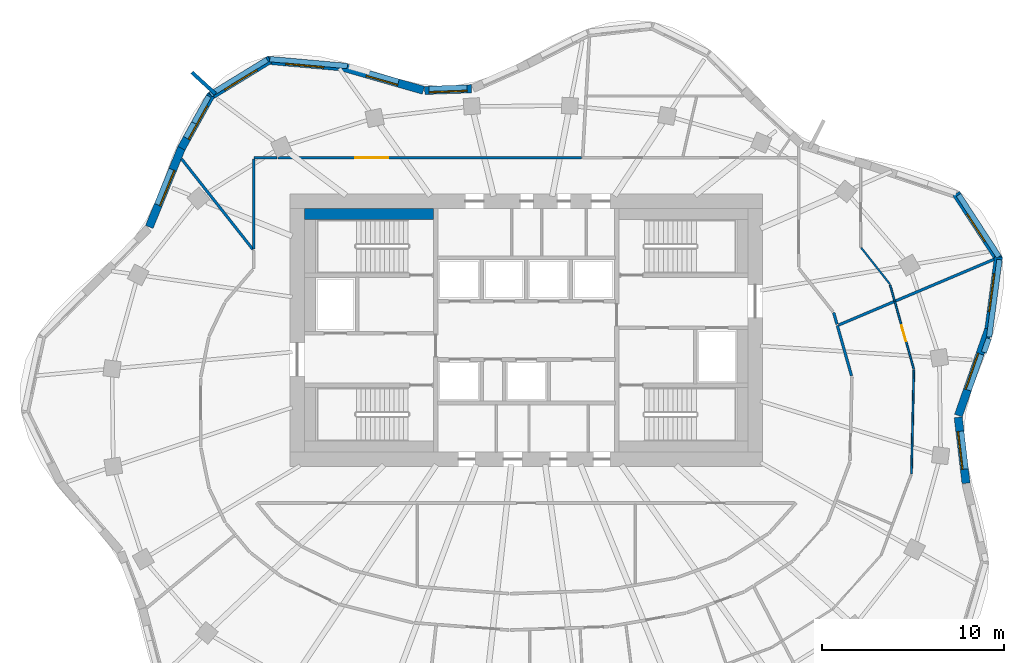
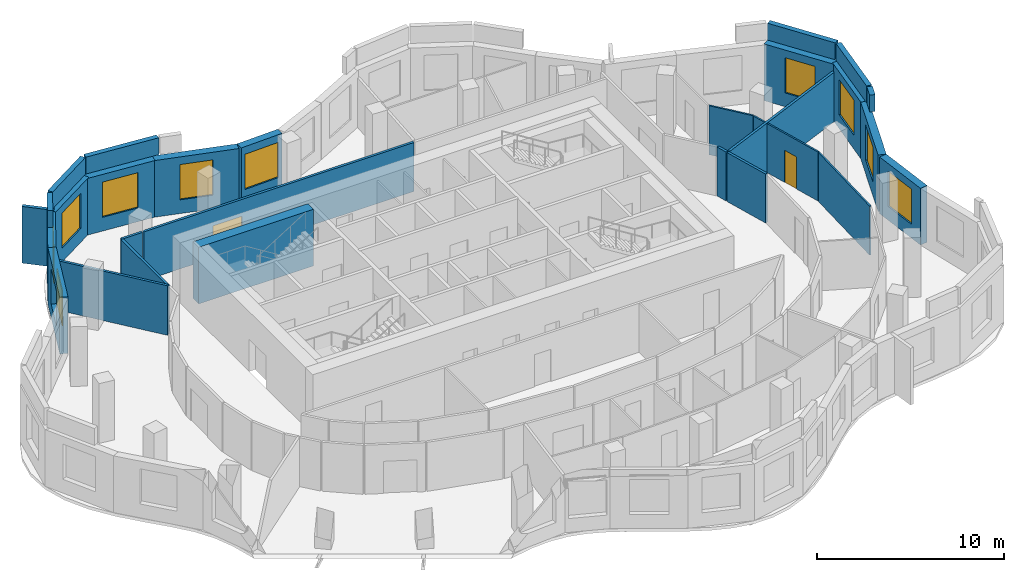
# One storey, part 7 of 10: 29 walls, 10 windows, 2 doors, 12 openings.
"""IFC4 building model written with IfcOpenShell, lengths in metres."""

from ifc_helpers import new_model, si_unit, direction, frame, frame_2d, origin, place, context, subcontext, project, spatial, rectangle, extrude, material, layer, layer_set, type_object, element, fill, save


model = new_model("IFC4")

# Units and contexts
model_context = context("Model", 3, precision=1e-05, world=origin(), true_north=direction((0.0, 1.0)))
body_context = subcontext(model_context, "Body", "Model", "MODEL_VIEW")
ifc_project = project(units=[si_unit("LENGTHUNIT", "METRE"), si_unit("AREAUNIT", "SQUARE_METRE"), si_unit("VOLUMEUNIT", "CUBIC_METRE"), si_unit("PLANEANGLEUNIT", "RADIAN"), si_unit("MASSUNIT", "GRAM", prefix="KILO")], contexts=[model_context])

# Site, building, storey
site_placement = place(None, origin())
site = spatial("IfcSite", under=ifc_project, at=site_placement, CompositionType="ELEMENT")
building_placement = place(site_placement, origin())
building = spatial("IfcBuilding", under=site, at=building_placement, Name="Rubra Terraces Tower", CompositionType="ELEMENT")
storey_placement = place(building_placement, frame((0.0, 0.0, 292.199951171875)))
storey = spatial("IfcBuildingStorey", under=building, at=storey_placement, Name="L72", CompositionType="ELEMENT", Elevation=292.199951171875)

# Wall, opening, window
ifc_material_1 = material(Name="Brick masonry red-brown", Category="masonry")
ifc_layer_1 = layer(ifc_material_1, 0.449951171875)
ifc_layer_set_1 = layer_set([ifc_layer_1], Name="Brick masonry red-brown")
wall_type_1 = type_object("IfcWallType", Name="Brick facade wall 450", PredefinedType="SOLIDWALL", material=ifc_layer_set_1)
wall_1_placement = place(storey_placement, frame((23.782470703125, -0.189208984375, 0.0), z_axis=(0.0, 0.0, 1.0), x_axis=(0.330794307703, 0.943702880144, 0.0)))
wall_1 = element("IfcWall", 1, at=wall_1_placement, inside=storey, type_object=wall_type_1, Name="Facade wall L72 bay 1", PredefinedType="SOLIDWALL", context=body_context, shape_type="SweptSolid", body=[
    extrude(rectangle(XDim=5.095458984375, YDim=0.449951171875, at=frame_2d((2.5478515625, 0.0))), origin(), (0.0, 0.0, 1.0), 3.699951171875),
])
opening_1_placement = place(wall_1_placement, frame((1.497802734375, 0.0, 0.89990234375)))
opening_1 = element("IfcOpeningElement", 2, at=opening_1_placement, cuts=wall_1, Name="Opening W1B", PredefinedType="OPENING", context=body_context, shape_type="SweptSolid", body=[
    extrude(rectangle(XDim=2.10009765625, YDim=2.300048828125, at=frame_2d((1.050048828125, 1.14990234375))), frame((0.0, 0.23486328125, 0.0), z_axis=(0.0, -1.0, 0.0), x_axis=(1.0, 0.0, 0.0)), (0.0, 0.0, 1.0), 0.469970703125),
])
ifc_material_2 = material(Name="Clear glass in aluminium frame", Category="aluminium")
window_type_1 = type_object("IfcWindowType", Name="Fixed deep-set window tall storey 2100 x 2300", PartitioningType="SINGLE_PANEL", PredefinedType="WINDOW", material=ifc_material_2)
window_1_placement = place(opening_1_placement, origin())
window_1 = element("IfcWindow", 3, at=window_1_placement, inside=storey, type_object=window_type_1, Name="Window L72 bay 1", OverallHeight=2.300048828125, OverallWidth=2.10009765625, PartitioningType="SINGLE_PANEL", PredefinedType="WINDOW", context=body_context, shape_type="SweptSolid", body=[
    extrude(rectangle(XDim=2.10009765625, YDim=2.300048828125, at=frame_2d((1.050048828125, 1.14990234375))), frame((0.0, 0.135009765625, 0.0), z_axis=(0.0, -1.0, 0.0), x_axis=(1.0, 0.0, 0.0)), (0.0, 0.0, 1.0), 0.06005859375),
])
fill(opening_1, window_1)

wall_2_placement = place(storey_placement, frame((25.457275390625, 4.57470703125, 0.0), z_axis=(0.0, 0.0, 1.0), x_axis=(0.132475046402, 0.991186340746, 0.0)))
wall_2 = element("IfcWall", 4, at=wall_2_placement, inside=storey, type_object=wall_type_1, Name="Facade wall L72 bay 2", PredefinedType="SOLIDWALL", context=body_context, shape_type="SweptSolid", body=[
    extrude(rectangle(XDim=4.006591796875, YDim=0.449951171875, at=frame_2d((2.00341796875, 0.0))), origin(), (0.0, 0.0, 1.0), 3.699951171875),
])
opening_2_placement = place(wall_2_placement, frame((0.953125, 0.0, 0.89990234375)))
opening_2 = element("IfcOpeningElement", 5, at=opening_2_placement, cuts=wall_2, Name="Opening W1B", PredefinedType="OPENING", context=body_context, shape_type="SweptSolid", body=[
    extrude(rectangle(XDim=2.10009765625, YDim=2.300048828125, at=frame_2d((1.050048828125, 1.14990234375))), frame((0.0, 0.23486328125, 0.0), z_axis=(0.0, -1.0, 0.0), x_axis=(1.0, 0.0, 0.0)), (0.0, 0.0, 1.0), 0.469970703125),
])
window_2_placement = place(opening_2_placement, origin())
window_2 = element("IfcWindow", 6, at=window_2_placement, inside=storey, type_object=window_type_1, Name="Window L72 bay 2", OverallHeight=2.300048828125, OverallWidth=2.10009765625, PartitioningType="SINGLE_PANEL", PredefinedType="WINDOW", context=body_context, shape_type="SweptSolid", body=[
    extrude(rectangle(XDim=2.10009765625, YDim=2.300048828125, at=frame_2d((1.050048828125, 1.14990234375))), frame((0.0, 0.135009765625, 0.0), z_axis=(0.0, -1.0, 0.0), x_axis=(1.0, 0.0, 0.0)), (0.0, 0.0, 1.0), 0.06005859375),
])
fill(opening_2, window_2)

wall_3_placement = place(storey_placement, frame((26.0224609375, 8.393310546875, 0.0), z_axis=(0.0, 0.0, 1.0), x_axis=(-0.545637310328, 0.838021435035, 0.0)))
wall_3 = element("IfcWall", 7, at=wall_3_placement, inside=storey, type_object=wall_type_1, Name="Facade wall L72 bay 3", PredefinedType="SOLIDWALL", context=body_context, shape_type="SweptSolid", body=[
    extrude(rectangle(XDim=4.336181640625, YDim=0.449951171875, at=frame_2d((2.16796875, 0.0))), origin(), (0.0, 0.0, 1.0), 3.699951171875),
])
opening_3_placement = place(wall_3_placement, frame((1.268310546875, 0.0, 0.89990234375)))
opening_3 = element("IfcOpeningElement", 8, at=opening_3_placement, cuts=wall_3, Name="Opening W6B", PredefinedType="OPENING", context=body_context, shape_type="SweptSolid", body=[
    extrude(rectangle(XDim=1.800048828125, YDim=2.300048828125, at=frame_2d((0.89990234375, 1.14990234375))), frame((0.0, 0.23486328125, 0.0), z_axis=(0.0, -1.0, 0.0), x_axis=(1.0, 0.0, 0.0)), (0.0, 0.0, 1.0), 0.469970703125),
])
window_type_2 = type_object("IfcWindowType", Name="Fixed deep-set window at wind fin tall storey 1800 x 2300", PartitioningType="SINGLE_PANEL", PredefinedType="WINDOW", material=ifc_material_2)
window_3_placement = place(opening_3_placement, origin())
window_3 = element("IfcWindow", 9, at=window_3_placement, inside=storey, type_object=window_type_2, Name="Window L72 bay 3", OverallHeight=2.300048828125, OverallWidth=1.800048828125, PartitioningType="SINGLE_PANEL", PredefinedType="WINDOW", context=body_context, shape_type="SweptSolid", body=[
    extrude(rectangle(XDim=1.800048828125, YDim=2.300048828125, at=frame_2d((0.89990234375, 1.14990234375))), frame((0.0, 0.135009765625, 0.0), z_axis=(0.0, -1.0, 0.0), x_axis=(1.0, 0.0, 0.0)), (0.0, 0.0, 1.0), 0.06005859375),
])
fill(opening_3, window_3)

wall_4_placement = place(storey_placement, frame((-3.022216796875, 17.797607421875, 0.0), z_axis=(0.0, 0.0, 1.0), x_axis=(-0.999339560591, -0.036337895349, 0.0)))
wall_4 = element("IfcWall", 10, at=wall_4_placement, inside=storey, type_object=wall_type_1, Name="Facade wall L72 bay 12", PredefinedType="SOLIDWALL", context=body_context, shape_type="SweptSolid", body=[
    extrude(rectangle(XDim=2.5732421875, YDim=0.449951171875, at=frame_2d((1.28662109375, 0.0))), origin(), (0.0, 0.0, 1.0), 3.699951171875),
])
opening_4_placement = place(wall_4_placement, frame((0.236572265625, 0.0, 0.89990234375)))
opening_4 = element("IfcOpeningElement", 11, at=opening_4_placement, cuts=wall_4, Name="Opening W1B", PredefinedType="OPENING", context=body_context, shape_type="SweptSolid", body=[
    extrude(rectangle(XDim=2.10009765625, YDim=2.300048828125, at=frame_2d((1.050048828125, 1.14990234375))), frame((0.0, 0.23486328125, 0.0), z_axis=(0.0, -1.0, 0.0), x_axis=(1.0, 0.0, 0.0)), (0.0, 0.0, 1.0), 0.469970703125),
])
window_4_placement = place(opening_4_placement, origin())
window_4 = element("IfcWindow", 12, at=window_4_placement, inside=storey, type_object=window_type_1, Name="Window L72 bay 12", OverallHeight=2.300048828125, OverallWidth=2.10009765625, PartitioningType="SINGLE_PANEL", PredefinedType="WINDOW", context=body_context, shape_type="SweptSolid", body=[
    extrude(rectangle(XDim=2.10009765625, YDim=2.300048828125, at=frame_2d((1.050048828125, 1.14990234375))), frame((0.0, 0.135009765625, 0.0), z_axis=(0.0, -1.0, 0.0), x_axis=(1.0, 0.0, 0.0)), (0.0, 0.0, 1.0), 0.06005859375),
])
fill(opening_4, window_4)

wall_5_placement = place(storey_placement, frame((-5.6640625, 17.712646484375, 0.0), z_axis=(0.0, 0.0, 1.0), x_axis=(-0.961108031684, 0.276172684083, 0.0)))
wall_5 = element("IfcWall", 13, at=wall_5_placement, inside=storey, type_object=wall_type_1, Name="Facade wall L72 bay 13", PredefinedType="SOLIDWALL", context=body_context, shape_type="SweptSolid", body=[
    extrude(rectangle(XDim=4.686279296875, YDim=0.449951171875, at=frame_2d((2.34326171875, 0.0))), origin(), (0.0, 0.0, 1.0), 3.699951171875),
])
opening_5_placement = place(wall_5_placement, frame((1.443115234375, 0.0, 0.89990234375)))
opening_5 = element("IfcOpeningElement", 14, at=opening_5_placement, cuts=wall_5, Name="Opening W6B", PredefinedType="OPENING", context=body_context, shape_type="SweptSolid", body=[
    extrude(rectangle(XDim=1.800048828125, YDim=2.300048828125, at=frame_2d((0.89990234375, 1.14990234375))), frame((0.0, 0.23486328125, 0.0), z_axis=(0.0, -1.0, 0.0), x_axis=(1.0, 0.0, 0.0)), (0.0, 0.0, 1.0), 0.469970703125),
])
window_5_placement = place(opening_5_placement, origin())
window_5 = element("IfcWindow", 15, at=window_5_placement, inside=storey, type_object=window_type_2, Name="Window L72 bay 13", OverallHeight=2.300048828125, OverallWidth=1.800048828125, PartitioningType="SINGLE_PANEL", PredefinedType="WINDOW", context=body_context, shape_type="SweptSolid", body=[
    extrude(rectangle(XDim=1.800048828125, YDim=2.300048828125, at=frame_2d((0.89990234375, 1.14990234375))), frame((0.0, 0.135009765625, 0.0), z_axis=(0.0, -1.0, 0.0), x_axis=(1.0, 0.0, 0.0)), (0.0, 0.0, 1.0), 0.06005859375),
])
fill(opening_5, window_5)

wall_6_placement = place(storey_placement, frame((-10.125732421875, 18.9990234375, 0.0), z_axis=(0.0, 0.0, 1.0), x_axis=(-0.996031087117, 0.089006030672, 0.0)))
wall_6 = element("IfcWall", 16, at=wall_6_placement, inside=storey, type_object=wall_type_1, Name="Facade wall L72 bay 14", PredefinedType="SOLIDWALL", context=body_context, shape_type="SweptSolid", body=[
    extrude(rectangle(XDim=4.14453125, YDim=0.449951171875, at=frame_2d((2.072265625, 0.0))), origin(), (0.0, 0.0, 1.0), 3.699951171875),
])
opening_6_placement = place(wall_6_placement, frame((1.022216796875, 0.0, 0.89990234375)))
opening_6 = element("IfcOpeningElement", 17, at=opening_6_placement, cuts=wall_6, Name="Opening W1B", PredefinedType="OPENING", context=body_context, shape_type="SweptSolid", body=[
    extrude(rectangle(XDim=2.10009765625, YDim=2.300048828125, at=frame_2d((1.050048828125, 1.14990234375))), frame((0.0, 0.23486328125, 0.0), z_axis=(0.0, -1.0, 0.0), x_axis=(1.0, 0.0, 0.0)), (0.0, 0.0, 1.0), 0.469970703125),
])
window_6_placement = place(opening_6_placement, origin())
window_6 = element("IfcWindow", 18, at=window_6_placement, inside=storey, type_object=window_type_1, Name="Window L72 bay 14", OverallHeight=2.300048828125, OverallWidth=2.10009765625, PartitioningType="SINGLE_PANEL", PredefinedType="WINDOW", context=body_context, shape_type="SweptSolid", body=[
    extrude(rectangle(XDim=2.10009765625, YDim=2.300048828125, at=frame_2d((1.050048828125, 1.14990234375))), frame((0.0, 0.135009765625, 0.0), z_axis=(0.0, -1.0, 0.0), x_axis=(1.0, 0.0, 0.0)), (0.0, 0.0, 1.0), 0.06005859375),
])
fill(opening_6, window_6)

wall_7_placement = place(storey_placement, frame((-14.116455078125, 19.400146484375, 0.0), z_axis=(0.0, 0.0, 1.0), x_axis=(-0.852622865325, -0.522526793117, 0.0)))
wall_7 = element("IfcWall", 19, at=wall_7_placement, inside=storey, type_object=wall_type_1, Name="Facade wall L72 bay 15", PredefinedType="SOLIDWALL", context=body_context, shape_type="SweptSolid", body=[
    extrude(rectangle(XDim=3.896240234375, YDim=0.449951171875, at=frame_2d((1.9482421875, 0.0))), origin(), (0.0, 0.0, 1.0), 3.699951171875),
])
opening_7_placement = place(wall_7_placement, frame((0.898193359375, 0.0, 0.89990234375)))
opening_7 = element("IfcOpeningElement", 20, at=opening_7_placement, cuts=wall_7, Name="Opening W1B", PredefinedType="OPENING", context=body_context, shape_type="SweptSolid", body=[
    extrude(rectangle(XDim=2.10009765625, YDim=2.300048828125, at=frame_2d((1.050048828125, 1.14990234375))), frame((0.0, 0.23486328125, 0.0), z_axis=(0.0, -1.0, 0.0), x_axis=(1.0, 0.0, 0.0)), (0.0, 0.0, 1.0), 0.469970703125),
])
window_7_placement = place(opening_7_placement, origin())
window_7 = element("IfcWindow", 21, at=window_7_placement, inside=storey, type_object=window_type_1, Name="Window L72 bay 15", OverallHeight=2.300048828125, OverallWidth=2.10009765625, PartitioningType="SINGLE_PANEL", PredefinedType="WINDOW", context=body_context, shape_type="SweptSolid", body=[
    extrude(rectangle(XDim=2.10009765625, YDim=2.300048828125, at=frame_2d((1.050048828125, 1.14990234375))), frame((0.0, 0.135009765625, 0.0), z_axis=(0.0, -1.0, 0.0), x_axis=(1.0, 0.0, 0.0)), (0.0, 0.0, 1.0), 0.06005859375),
])
fill(opening_7, window_7)

wall_8_placement = place(storey_placement, frame((-17.359375, 17.44677734375, 0.0), z_axis=(0.0, 0.0, 1.0), x_axis=(-0.485618126214, -0.874171056197, 0.0)))
wall_8 = element("IfcWall", 22, at=wall_8_placement, inside=storey, type_object=wall_type_1, Name="Facade wall L72 bay 16", PredefinedType="SOLIDWALL", context=body_context, shape_type="SweptSolid", body=[
    extrude(rectangle(XDim=3.3427734375, YDim=0.449951171875, at=frame_2d((1.67138671875, 0.0))), origin(), (0.0, 0.0, 1.0), 3.699951171875),
])
opening_8_placement = place(wall_8_placement, frame((0.621337890625, 0.0, 0.89990234375)))
opening_8 = element("IfcOpeningElement", 23, at=opening_8_placement, cuts=wall_8, Name="Opening W1B", PredefinedType="OPENING", context=body_context, shape_type="SweptSolid", body=[
    extrude(rectangle(XDim=2.10009765625, YDim=2.300048828125, at=frame_2d((1.050048828125, 1.14990234375))), frame((0.0, 0.23486328125, 0.0), z_axis=(0.0, -1.0, 0.0), x_axis=(1.0, 0.0, 0.0)), (0.0, 0.0, 1.0), 0.469970703125),
])
window_8_placement = place(opening_8_placement, origin())
window_8 = element("IfcWindow", 24, at=window_8_placement, inside=storey, type_object=window_type_1, Name="Window L72 bay 16", OverallHeight=2.300048828125, OverallWidth=2.10009765625, PartitioningType="SINGLE_PANEL", PredefinedType="WINDOW", context=body_context, shape_type="SweptSolid", body=[
    extrude(rectangle(XDim=2.10009765625, YDim=2.300048828125, at=frame_2d((1.050048828125, 1.14990234375))), frame((0.0, 0.135009765625, 0.0), z_axis=(0.0, -1.0, 0.0), x_axis=(1.0, 0.0, 0.0)), (0.0, 0.0, 1.0), 0.06005859375),
])
fill(opening_8, window_8)

wall_9_placement = place(storey_placement, frame((-18.97119140625, 14.548828125, 0.0), z_axis=(0.0, 0.0, 1.0), x_axis=(-0.378434936431, -0.925627894398, 0.0)))
wall_9 = element("IfcWall", 25, at=wall_9_placement, inside=storey, type_object=wall_type_1, Name="Facade wall L72 bay 17", PredefinedType="SOLIDWALL", context=body_context, shape_type="SweptSolid", body=[
    extrude(rectangle(XDim=4.70751953125, YDim=0.449951171875, at=frame_2d((2.353759765625, 0.0))), origin(), (0.0, 0.0, 1.0), 3.699951171875),
])
opening_9_placement = place(wall_9_placement, frame((1.3037109375, 0.0, 0.89990234375)))
opening_9 = element("IfcOpeningElement", 26, at=opening_9_placement, cuts=wall_9, Name="Opening W1B", PredefinedType="OPENING", context=body_context, shape_type="SweptSolid", body=[
    extrude(rectangle(XDim=2.10009765625, YDim=2.300048828125, at=frame_2d((1.050048828125, 1.14990234375))), frame((0.0, 0.23486328125, 0.0), z_axis=(0.0, -1.0, 0.0), x_axis=(1.0, 0.0, 0.0)), (0.0, 0.0, 1.0), 0.469970703125),
])
window_9_placement = place(opening_9_placement, origin())
window_9 = element("IfcWindow", 27, at=window_9_placement, inside=storey, type_object=window_type_1, Name="Window L72 bay 17", OverallHeight=2.300048828125, OverallWidth=2.10009765625, PartitioningType="SINGLE_PANEL", PredefinedType="WINDOW", context=body_context, shape_type="SweptSolid", body=[
    extrude(rectangle(XDim=2.10009765625, YDim=2.300048828125, at=frame_2d((1.050048828125, 1.14990234375))), frame((0.0, 0.135009765625, 0.0), z_axis=(0.0, -1.0, 0.0), x_axis=(1.0, 0.0, 0.0)), (0.0, 0.0, 1.0), 0.06005859375),
])
fill(opening_9, window_9)

wall_10_placement = place(storey_placement, frame((24.200927734375, -3.915283203125, 0.0), z_axis=(0.0, 0.0, 1.0), x_axis=(-0.117623597589, 0.993058250703, 0.0)))
wall_10 = element("IfcWall", 28, at=wall_10_placement, inside=storey, type_object=wall_type_1, Name="Facade wall L72 bay 40", PredefinedType="SOLIDWALL", context=body_context, shape_type="SweptSolid", body=[
    extrude(rectangle(XDim=3.6572265625, YDim=0.449951171875, at=frame_2d((1.82861328125, 0.0))), origin(), (0.0, 0.0, 1.0), 3.699951171875),
])
opening_10_placement = place(wall_10_placement, frame((0.77880859375, 0.0, 0.89990234375)))
opening_10 = element("IfcOpeningElement", 29, at=opening_10_placement, cuts=wall_10, Name="Opening W1B", PredefinedType="OPENING", context=body_context, shape_type="SweptSolid", body=[
    extrude(rectangle(XDim=2.10009765625, YDim=2.300048828125, at=frame_2d((1.050048828125, 1.14990234375))), frame((0.0, 0.23486328125, 0.0), z_axis=(0.0, -1.0, 0.0), x_axis=(1.0, 0.0, 0.0)), (0.0, 0.0, 1.0), 0.469970703125),
])
window_10_placement = place(opening_10_placement, origin())
window_10 = element("IfcWindow", 30, at=window_10_placement, inside=storey, type_object=window_type_1, Name="Window L72 bay 40", OverallHeight=2.300048828125, OverallWidth=2.10009765625, PartitioningType="SINGLE_PANEL", PredefinedType="WINDOW", context=body_context, shape_type="SweptSolid", body=[
    extrude(rectangle(XDim=2.10009765625, YDim=2.300048828125, at=frame_2d((1.050048828125, 1.14990234375))), frame((0.0, 0.135009765625, 0.0), z_axis=(0.0, -1.0, 0.0), x_axis=(1.0, 0.0, 0.0)), (0.0, 0.0, 1.0), 0.06005859375),
])
fill(opening_10, window_10)

# Walls
ifc_layer_2 = layer(ifc_material_1, 0.300048828125)
ifc_layer_set_2 = layer_set([ifc_layer_2], Name="Brick masonry red-brown")
wall_type_2 = type_object("IfcWallType", Name="Brick parapet 300", PredefinedType="PARAPET", material=ifc_layer_set_2)
wall_11_placement = place(storey_placement, frame((25.185302734375, 3.284912109375, 3.900146484375), z_axis=(0.0, 0.0, 1.0), x_axis=(0.330927638021, 0.943656133554, 0.0)))
element("IfcWall", 31, at=wall_11_placement, inside=storey, type_object=wall_type_2, Name="Parapet L72 bay 1", PredefinedType="PARAPET", context=body_context, shape_type="SweptSolid", body=[
    extrude(rectangle(XDim=0.81005859375, YDim=0.300048828125, at=frame_2d((0.405029296875, 0.0))), origin(), (0.0, 0.0, 1.0), 1.099853515625),
])
wall_12_placement = place(storey_placement, frame((25.474365234375, 4.13720703125, 3.900146484375), z_axis=(0.0, 0.0, 1.0), x_axis=(0.132506125812, 0.991182186393, 0.0)))
element("IfcWall", 32, at=wall_12_placement, inside=storey, type_object=wall_type_2, Name="Parapet L72 bay 2", PredefinedType="PARAPET", context=body_context, shape_type="SweptSolid", body=[
    extrude(rectangle(XDim=4.296630859375, YDim=0.300048828125, at=frame_2d((2.1484375, 0.0))), origin(), (0.0, 0.0, 1.0), 1.099853515625),
])
wall_13_placement = place(storey_placement, frame((26.00830078125, 8.552490234375, 3.900146484375), z_axis=(0.0, 0.0, 1.0), x_axis=(-0.545634876254, 0.83802301986, 0.0)))
element("IfcWall", 33, at=wall_13_placement, inside=storey, type_object=wall_type_2, Name="Parapet L72 bay 3", PredefinedType="PARAPET", context=body_context, shape_type="SweptSolid", body=[
    extrude(rectangle(XDim=4.060546875, YDim=0.300048828125, at=frame_2d((2.0302734375, 0.0))), origin(), (0.0, 0.0, 1.0), 1.099853515625),
])
wall_14_placement = place(storey_placement, frame((-9.851806640625, 19.0498046875, 3.900146484375), z_axis=(0.0, 0.0, 1.0), x_axis=(-0.996029858658, 0.089019776805, 0.0)))
element("IfcWall", 34, at=wall_14_placement, inside=storey, type_object=wall_type_2, Name="Parapet L72 bay 14", PredefinedType="PARAPET", context=body_context, shape_type="SweptSolid", body=[
    extrude(rectangle(XDim=4.283935546875, YDim=0.300048828125, at=frame_2d((2.14208984375, 0.0))), origin(), (0.0, 0.0, 1.0), 1.099853515625),
])
wall_15_placement = place(storey_placement, frame((-14.265869140625, 19.396484375, 3.900146484375), z_axis=(0.0, 0.0, 1.0), x_axis=(-0.852626191256, -0.522521366055, 0.0)))
element("IfcWall", 35, at=wall_15_placement, inside=storey, type_object=wall_type_2, Name="Parapet L72 bay 15", PredefinedType="PARAPET", context=body_context, shape_type="SweptSolid", body=[
    extrude(rectangle(XDim=3.657958984375, YDim=0.300048828125, at=frame_2d((1.8291015625, 0.0))), origin(), (0.0, 0.0, 1.0), 1.099853515625),
])
wall_16_placement = place(storey_placement, frame((-17.477783203125, 17.387939453125, 3.900146484375), z_axis=(0.0, 0.0, 1.0), x_axis=(-0.485655243725, -0.874150435705, 0.0)))
element("IfcWall", 36, at=wall_16_placement, inside=storey, type_object=wall_type_2, Name="Parapet L72 bay 16", PredefinedType="PARAPET", context=body_context, shape_type="SweptSolid", body=[
    extrude(rectangle(XDim=1.68359375, YDim=0.300048828125, at=frame_2d((0.841796875, 0.0))), origin(), (0.0, 0.0, 1.0), 1.099853515625),
])
ifc_layer_3 = layer(ifc_material_1, 0.199951171875)
ifc_layer_set_3 = layer_set([ifc_layer_3], Name="Brick masonry red-brown")
wall_type_3 = type_object("IfcWallType", Name="Brick wind fin 200", PredefinedType="SOLIDWALL", material=ifc_layer_set_3)
wall_17_placement = place(storey_placement, frame((-17.118896484375, 17.52294921875, 0.0), z_axis=(0.0, 0.0, 1.0), x_axis=(-0.737866019047, 0.674947211221, 0.0)))
element("IfcWall", 37, at=wall_17_placement, inside=storey, type_object=wall_type_3, Name="Wind fin L72 8", PredefinedType="SOLIDWALL", context=body_context, shape_type="SweptSolid", body=[
    extrude(rectangle(XDim=1.75, YDim=0.199951171875, at=frame_2d((0.875, 0.0))), origin(), (0.0, 0.0, 1.0), 3.699951171875),
])
ifc_material_3 = material(Name="Plasterboard on steel stud, mineral wool infill", Category="steel")
ifc_layer_4 = layer(ifc_material_3, 0.14990234375)
ifc_layer_set_4 = layer_set([ifc_layer_4], Name="Plasterboard on steel stud, mineral wool infill")
wall_type_4 = type_object("IfcWallType", Name="CORRIDOR PARTITION 150", PredefinedType="PARTITIONING", material=ifc_layer_set_4)
wall_18_placement = place(storey_placement, frame((17.89990234375, 1.999755859375, 0.0), z_axis=(0.0, 0.0, 1.0), x_axis=(-0.271980959701, 0.962302633042, 0.0)))
element("IfcWall", 38, at=wall_18_placement, inside=storey, type_object=wall_type_4, Name="PARTITION", PredefinedType="PARTITIONING", context=body_context, shape_type="SweptSolid", body=[
    extrude(rectangle(XDim=2.87255859375, YDim=0.14990234375, at=frame_2d((1.436279296875, 0.0))), origin(), (0.0, 0.0, 1.0), 3.197998046875),
])
wall_19_placement = place(storey_placement, frame((17.098388671875, 4.836181640625, 0.0), z_axis=(0.0, 0.0, 1.0), x_axis=(-0.271971703561, 0.962305249109, 0.0)))
element("IfcWall", 39, at=wall_19_placement, inside=storey, type_object=wall_type_4, Name="PARTITION", PredefinedType="PARTITIONING", context=body_context, shape_type="SweptSolid", body=[
    extrude(rectangle(XDim=0.668701171875, YDim=0.14990234375, at=frame_2d((0.33447265625, 0.0))), origin(), (0.0, 0.0, 1.0), 3.197998046875),
])

# Wall, opening, door
wall_20_placement = place(storey_placement, frame((3.02294921875, 14.0, 0.0), z_axis=(0.0, 0.0, 1.0), x_axis=(-1.0, 0.0, 0.0)))
wall_20 = element("IfcWall", 40, at=wall_20_placement, inside=storey, type_object=wall_type_4, Name="PARTITION", PredefinedType="PARTITIONING", context=body_context, shape_type="SweptSolid", body=[
    extrude(rectangle(XDim=16.683837890625, YDim=0.14990234375, at=frame_2d((8.341796875, 0.0))), origin(), (0.0, 0.0, 1.0), 3.197998046875),
])
opening_11_placement = place(wall_20_placement, frame((10.6279296875, 0.0, 0.0)))
opening_11 = element("IfcOpeningElement", 41, at=opening_11_placement, cuts=wall_20, Name="Opening 72-112", PredefinedType="OPENING", context=body_context, shape_type="SweptSolid", body=[
    extrude(rectangle(XDim=1.800048828125, YDim=2.10009765625, at=frame_2d((0.89990234375, 1.050048828125))), frame((0.0, 0.0849609375, 0.0), z_axis=(0.0, -1.0, 0.0), x_axis=(1.0, 0.0, 0.0)), (0.0, 0.0, 1.0), 0.169921875),
])
ifc_material_4 = material(Name="Painted timber door leaf, double", Category="wood")
door_type_1 = type_object("IfcDoorType", Name="ROOM DOUBLE DOOR 1800 X 2100", OperationType="DOUBLE_DOOR_SINGLE_SWING", PredefinedType="DOOR", material=ifc_material_4)
door_1_placement = place(opening_11_placement, origin())
door_1 = element("IfcDoor", 42, at=door_1_placement, inside=storey, type_object=door_type_1, Name="DOOR 72-112", OperationType="DOUBLE_DOOR_SINGLE_SWING", OverallHeight=2.10009765625, OverallWidth=1.800048828125, PredefinedType="DOOR", context=body_context, shape_type="SweptSolid", body=[
    extrude(rectangle(XDim=1.800048828125, YDim=2.10009765625, at=frame_2d((0.89990234375, 1.050048828125))), frame((0.0, 0.02490234375, 0.0), z_axis=(0.0, -1.0, 0.0), x_axis=(1.0, 0.0, 0.0)), (0.0, 0.0, 1.0), 0.050048828125),
])
fill(opening_11, door_1)

# Walls
wall_21_placement = place(storey_placement, frame((-13.731689453125, 14.0, 0.0), z_axis=(0.0, 0.0, 1.0), x_axis=(-1.0, 0.0, 0.0)))
element("IfcWall", 43, at=wall_21_placement, inside=storey, type_object=wall_type_4, Name="PARTITION", PredefinedType="PARTITIONING", context=body_context, shape_type="SweptSolid", body=[
    extrude(rectangle(XDim=1.268310546875, YDim=0.14990234375, at=frame_2d((0.63427734375, 0.0))), origin(), (0.0, 0.0, 1.0), 3.197998046875),
])
wall_22_placement = place(storey_placement, frame((-15.0, 13.925048828125, 0.0), z_axis=(0.0, 0.0, 1.0), x_axis=(0.0, -1.0, 0.0)))
element("IfcWall", 44, at=wall_22_placement, inside=storey, type_object=wall_type_4, Name="PARTITION", PredefinedType="PARTITIONING", context=body_context, shape_type="SweptSolid", body=[
    extrude(rectangle(XDim=4.95703125, YDim=0.14990234375, at=frame_2d((2.478515625, 0.0))), origin(), (0.0, 0.0, 1.0), 3.197998046875),
])
ifc_material_5 = material(Name="Concrete C40", Category="concrete")
ifc_layer_5 = layer(ifc_material_5, 0.60009765625)
ifc_layer_set_5 = layer_set([ifc_layer_5], Name="Concrete C40")
wall_type_5 = type_object("IfcWallType", Name="Core lining wall 600 concrete", PredefinedType="SOLIDWALL", material=ifc_layer_set_5)
wall_23_placement = place(storey_placement, frame((-12.199951171875, 10.89990234375, 0.0), z_axis=(0.0, 0.0, 1.0), x_axis=(1.0, 0.0, 0.0)))
element("IfcWall", 45, at=wall_23_placement, inside=storey, type_object=wall_type_5, Name="CORE LINING WALL L72", PredefinedType="SOLIDWALL", context=body_context, shape_type="SweptSolid", body=[
    extrude(rectangle(XDim=7.099853515625, YDim=0.60009765625, at=frame_2d((3.5498046875, 0.0))), origin(), (0.0, 0.0, 1.0), 3.699951171875),
])

# Wall, opening, door
ifc_material_6 = material(Name="Plasterboard on steel stud", Category="steel")
ifc_layer_6 = layer(ifc_material_6, 0.10009765625)
ifc_layer_set_6 = layer_set([ifc_layer_6], Name="Plasterboard on steel stud")
wall_type_6 = type_object("IfcWallType", Name="ROOM PARTITION 100", PredefinedType="PARTITIONING", material=ifc_layer_set_6)
wall_24_placement = place(storey_placement, frame((20.2802734375, 6.0791015625, 0.0), z_axis=(0.0, 0.0, 1.0), x_axis=(0.271974810721, -0.962304370942, 0.0)))
wall_24 = element("IfcWall", 46, at=wall_24_placement, inside=storey, type_object=wall_type_6, Name="PARTITION", PredefinedType="PARTITIONING", context=body_context, shape_type="SweptSolid", body=[
    extrude(rectangle(XDim=3.864501953125, YDim=0.10009765625, at=frame_2d((1.93212890625, 0.0))), origin(), (0.0, 0.0, 1.0), 3.197998046875),
])
opening_12_placement = place(wall_24_placement, frame((1.360107421875, 0.0, 0.0)))
opening_12 = element("IfcOpeningElement", 47, at=opening_12_placement, cuts=wall_24, Name="Opening 72-110", PredefinedType="OPENING", context=body_context, shape_type="SweptSolid", body=[
    extrude(rectangle(XDim=0.89990234375, YDim=2.10009765625, at=frame_2d((0.449951171875, 1.050048828125))), frame((0.0, 0.06005859375, 0.0), z_axis=(0.0, -1.0, 0.0), x_axis=(1.0, 0.0, 0.0)), (0.0, 0.0, 1.0), 0.1201171875),
])
ifc_material_7 = material(Name="Painted timber door leaf", Category="wood")
door_type_2 = type_object("IfcDoorType", Name="ROOM DOOR 900 X 2100", OperationType="SINGLE_SWING_LEFT", PredefinedType="DOOR", material=ifc_material_7)
door_2_placement = place(opening_12_placement, origin())
door_2 = element("IfcDoor", 48, at=door_2_placement, inside=storey, type_object=door_type_2, Name="DOOR 72-110", OperationType="SINGLE_SWING_RIGHT", OverallHeight=2.10009765625, OverallWidth=0.89990234375, PredefinedType="DOOR", context=body_context, shape_type="SweptSolid", body=[
    extrude(rectangle(XDim=0.89990234375, YDim=2.10009765625, at=frame_2d((0.449951171875, 1.050048828125))), frame((0.0, 0.02490234375, 0.0), z_axis=(0.0, -1.0, 0.0), x_axis=(1.0, 0.0, 0.0)), (0.0, 0.0, 1.0), 0.050048828125),
])
fill(opening_12, door_2)

# Walls
wall_25_placement = place(storey_placement, frame((21.330078125, 2.310302734375, 0.0), z_axis=(0.0, 0.0, 1.0), x_axis=(-0.023052695677, -0.9997342513, 0.0)))
element("IfcWall", 49, at=wall_25_placement, inside=storey, type_object=wall_type_6, Name="PARTITION", PredefinedType="PARTITIONING", context=body_context, shape_type="SweptSolid", body=[
    extrude(rectangle(XDim=5.708251953125, YDim=0.10009765625, at=frame_2d((2.85400390625, 0.0))), origin(), (0.0, 0.0, 1.0), 3.197998046875),
])
wall_26_placement = place(storey_placement, frame((18.430908203125, 9.04638671875, 0.0), z_axis=(0.0, 0.0, 1.0), x_axis=(0.620118511479, -0.78450814637, 0.0)))
element("IfcWall", 50, at=wall_26_placement, inside=storey, type_object=wall_type_6, Name="PARTITION", PredefinedType="PARTITIONING", context=body_context, shape_type="SweptSolid", body=[
    extrude(rectangle(XDim=2.53662109375, YDim=0.10009765625, at=frame_2d((1.268310546875, 0.0))), origin(), (0.0, 0.0, 1.0), 3.197998046875),
])
wall_27_placement = place(storey_placement, frame((20.017578125, 7.00830078125, 0.0), z_axis=(0.0, 0.0, 1.0), x_axis=(0.272036681058, -0.962286882462, 0.0)))
element("IfcWall", 51, at=wall_27_placement, inside=storey, type_object=wall_type_6, Name="PARTITION", PredefinedType="PARTITIONING", context=body_context, shape_type="SweptSolid", body=[
    extrude(rectangle(XDim=0.92529296875, YDim=0.10009765625, at=frame_2d((0.462646484375, 0.0))), origin(), (0.0, 0.0, 1.0), 3.197998046875),
])
ifc_layer_7 = layer(ifc_material_6, 0.14990234375)
ifc_layer_set_7 = layer_set([ifc_layer_7], Name="Plasterboard on steel stud")
wall_type_7 = type_object("IfcWallType", Name="ROOM PARTITION 150", PredefinedType="PARTITIONING", material=ifc_layer_set_7)
wall_28_placement = place(storey_placement, frame((-18.97412109375, 13.9365234375, 0.0), z_axis=(0.0, 0.0, 1.0), x_axis=(0.618916821117, -0.785456535104, 0.0)))
element("IfcWall", 52, at=wall_28_placement, inside=storey, type_object=wall_type_7, Name="PARTITION", PredefinedType="PARTITIONING", context=body_context, shape_type="SweptSolid", body=[
    extrude(rectangle(XDim=6.34619140625, YDim=0.14990234375, at=frame_2d((3.173095703125, 0.0))), origin(), (0.0, 0.0, 1.0), 3.234130859375),
])
wall_29_placement = place(storey_placement, frame((25.738525390625, 8.408447265625, 0.0), z_axis=(0.0, 0.0, 1.0), x_axis=(-0.92106014218, -0.389420357052, 0.0)))
element("IfcWall", 53, at=wall_29_placement, inside=storey, type_object=wall_type_7, Name="PARTITION", PredefinedType="PARTITIONING", context=body_context, shape_type="SweptSolid", body=[
    extrude(rectangle(XDim=9.28369140625, YDim=0.14990234375, at=frame_2d((4.641845703125, 0.0))), origin(), (0.0, 0.0, 1.0), 3.234130859375),
])

save(model, "model.ifc")
